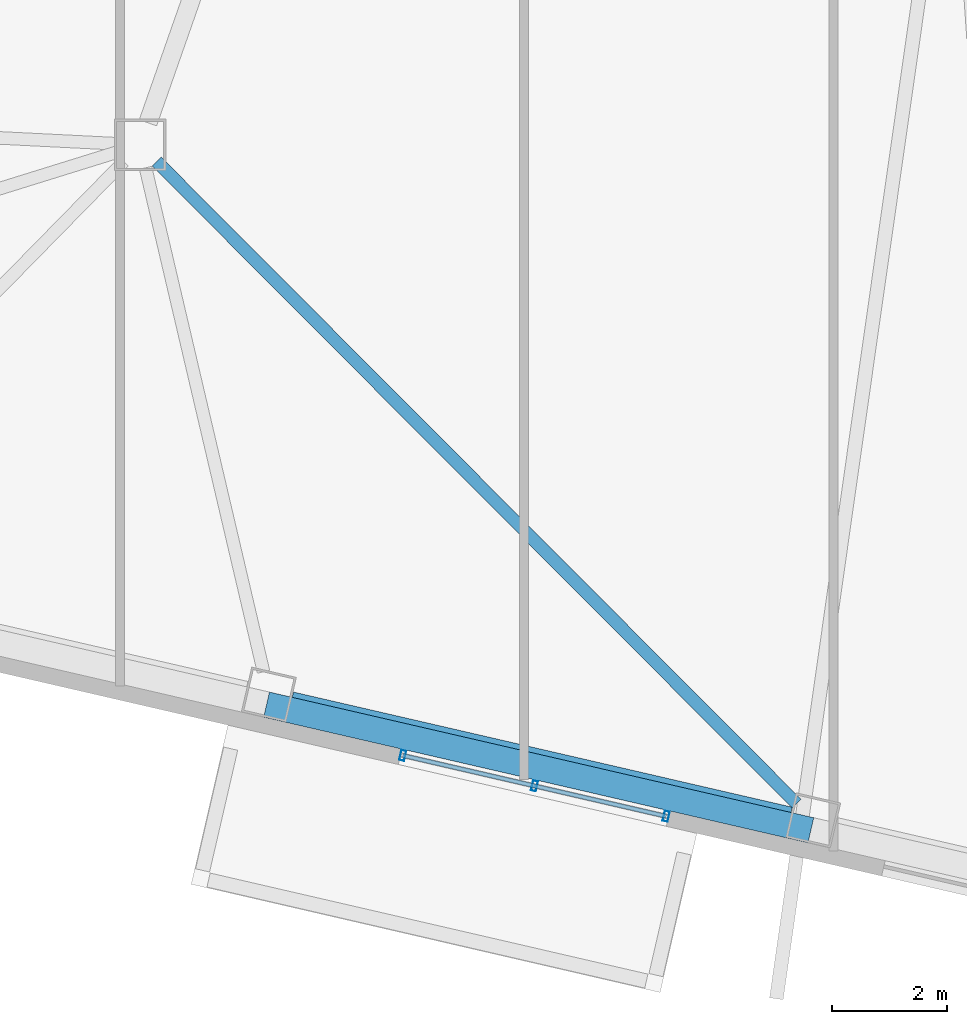
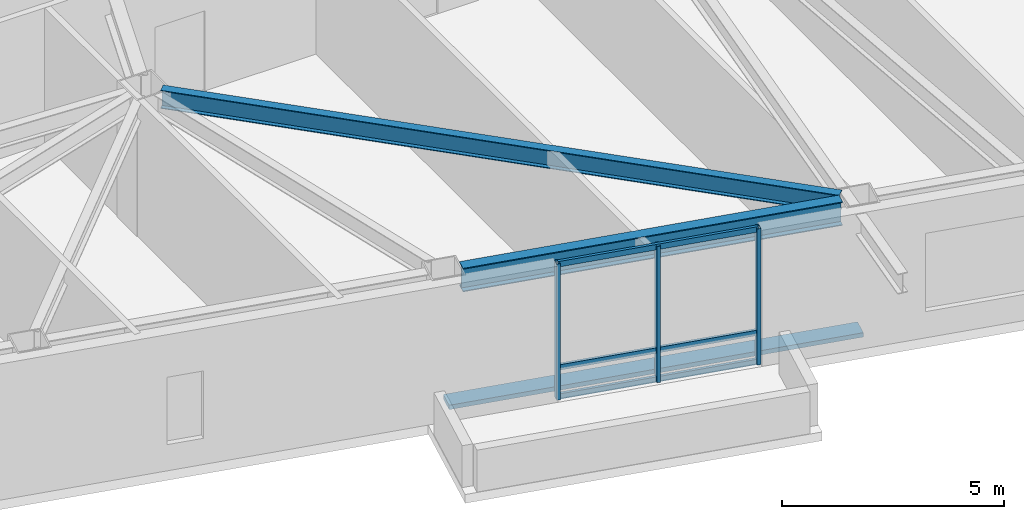
# One storey, part 2 of 22: 7 members, 2 beams, 1 element without a shape of its own.
"""IFC4 building model written with IfcOpenShell, lengths in metres."""

from ifc_helpers import new_model, si_unit, direction, frame, origin, origin_2d, place, context, subcontext, project, spatial, rectangle, hollow_rectangle, i_section, extrude, material, layer, layer_set, material_profile, profile_set, type_object, element, aggregate, save


model = new_model("IFC4")

# Units and contexts
model_context = context("Model", 3, precision=1e-05, world=origin(), true_north=direction((0.0, 1.0)))
body_context = subcontext(model_context, "Body", "Model", "MODEL_VIEW")
ifc_project = project(units=[si_unit("LENGTHUNIT", "METRE"), si_unit("AREAUNIT", "SQUARE_METRE"), si_unit("VOLUMEUNIT", "CUBIC_METRE"), si_unit("PLANEANGLEUNIT", "RADIAN"), si_unit("MASSUNIT", "GRAM", prefix="KILO")], contexts=[model_context])

# Site, building, storey
site_placement = place(None, origin())
site = spatial("IfcSite", under=ifc_project, at=site_placement, CompositionType="ELEMENT")
building_placement = place(site_placement, origin())
building = spatial("IfcBuilding", under=site, at=building_placement, Name="Tavrogorsk Clinical Tower", CompositionType="ELEMENT")
storey_placement = place(building_placement, frame((0.0, 0.0, 55.39990234375)))
storey = spatial("IfcBuildingStorey", under=building, at=storey_placement, Name="L11", CompositionType="ELEMENT", Elevation=55.39990234375)

# Member
ifc_material_1 = material(Name="Anodised aluminium alloy AW-6063", Category="aluminium")
ifc_material_profile_1 = material_profile(ifc_material_1, rectangle(XDim=0.449951171875, YDim=0.1201171875, at=origin_2d()), Name="ALU-SUNSHADE-450x120")
ifc_profile_set_1 = profile_set([ifc_material_profile_1], Name="Anodised aluminium alloy AW-6063")
member_type_1 = type_object("IfcMemberType", Name="ChicagoSunshade_450x120", PredefinedType="USERDEFINED", material=ifc_profile_set_1)
member_1_placement = place(storey_placement, frame((-22.29443359375, -22.96728515625, 0.18017578125), z_axis=(0.97437219846, -0.224941812182, 0.0), x_axis=(0.224941812182, 0.97437219846, 0.0)))
element("IfcMember", 1, at=member_1_placement, inside=storey, type_object=member_type_1, Name="L11 South Aluminium Sunshade S3", ObjectType="SUNSHADE", PredefinedType="USERDEFINED", context=body_context, shape_type="SweptSolid", body=[
    extrude(rectangle(XDim=0.449951171875, YDim=0.1201171875, at=origin_2d()), origin(), (0.0, 0.0, 1.0), 9.74853515625),
])

# Curtain wall, members
ifc_material_2 = material(Name="Anodised aluminium and triple IGU glazing", Category="aluminium")
ifc_layer = layer(ifc_material_2, 0.179931640625)
ifc_layer_set = layer_set([ifc_layer], Name="Anodised aluminium and triple IGU glazing")
curtain_wall_type = type_object("IfcCurtainWallType", Name="CW3_SouthSlot", PredefinedType="NOTDEFINED", material=ifc_layer_set)
curtain_wall_placement = place(storey_placement, origin())
curtain_wall = element("IfcCurtainWall", 2, at=curtain_wall_placement, inside=storey, type_object=curtain_wall_type, Name="L11 Curtain Wall CW-L11-S-SLOT-1", PredefinedType="NOTDEFINED")
ifc_material_3 = material(Name="Anodised aluminium alloy AW-6060", Category="aluminium")
ifc_material_profile_2 = material_profile(ifc_material_3, hollow_rectangle(XDim=0.090087890625, YDim=0.179931640625, WallThickness=0.00634765625, at=origin_2d()), Name="RHS-180x90x6.3")
ifc_profile_set_2 = profile_set([ifc_material_profile_2], Name="Anodised aluminium alloy AW-6060")
member_type_2 = type_object("IfcMemberType", Name="CwMullion_180x90", PredefinedType="MULLION", material=ifc_profile_set_2)
member_2_placement = place(storey_placement, frame((-19.917724609375, -23.8544921875, 0.0), z_axis=(0.0, 0.0, 1.0), x_axis=(0.974370046851, -0.224951132027, 0.0)))
member_2 = element("IfcMember", 3, at=member_2_placement, type_object=member_type_2, Name="CW-L11-S-SLOT-1 Mullion 1", PredefinedType="MULLION", context=body_context, shape_type="SweptSolid", body=[
    extrude(hollow_rectangle(XDim=0.090087890625, YDim=0.179931640625, WallThickness=0.00634765625, at=origin_2d()), origin(), (0.0, 0.0, 1.0), 3.739990234375),
])
member_3_placement = place(storey_placement, frame((-17.619384765625, -24.38525390625, 0.0), z_axis=(0.0, 0.0, 1.0), x_axis=(0.974370046851, -0.224951132027, 0.0)))
member_3 = element("IfcMember", 4, at=member_3_placement, type_object=member_type_2, Name="CW-L11-S-SLOT-1 Mullion 2", PredefinedType="MULLION", context=body_context, shape_type="SweptSolid", body=[
    extrude(hollow_rectangle(XDim=0.090087890625, YDim=0.179931640625, WallThickness=0.00634765625, at=origin_2d()), origin(), (0.0, 0.0, 1.0), 3.739990234375),
])
member_4_placement = place(storey_placement, frame((-15.32080078125, -24.916015625, 0.0), z_axis=(0.0, 0.0, 1.0), x_axis=(0.974370046851, -0.224951132027, 0.0)))
member_4 = element("IfcMember", 5, at=member_4_placement, type_object=member_type_2, Name="CW-L11-S-SLOT-1 Mullion 3", PredefinedType="MULLION", context=body_context, shape_type="SweptSolid", body=[
    extrude(hollow_rectangle(XDim=0.090087890625, YDim=0.179931640625, WallThickness=0.00634765625, at=origin_2d()), origin(), (0.0, 0.0, 1.0), 3.739990234375),
])
ifc_material_4 = material(Name="Anodised aluminium alloy AW-6060", Category="aluminium")
ifc_material_profile_3 = material_profile(ifc_material_4, hollow_rectangle(XDim=0.074951171875, YDim=0.14990234375, WallThickness=0.0048828125, at=origin_2d()), Name="RHS-150x75x5")
ifc_profile_set_3 = profile_set([ifc_material_profile_3], Name="Anodised aluminium alloy AW-6060")
member_type_3 = type_object("IfcMemberType", Name="CwTransom_150x75", PredefinedType="USERDEFINED", material=ifc_profile_set_3)
member_5_placement = place(storey_placement, frame((-19.917724609375, -23.8544921875, 0.050048828125), z_axis=(0.974358915979, -0.224999339672, 0.0), x_axis=(0.224999339672, 0.974358915979, 0.0)))
member_5 = element("IfcMember", 6, at=member_5_placement, type_object=member_type_3, Name="CW-L11-S-SLOT-1 Transom 1", ObjectType="TRANSOM", PredefinedType="USERDEFINED", context=body_context, shape_type="SweptSolid", body=[
    extrude(hollow_rectangle(XDim=0.074951171875, YDim=0.14990234375, WallThickness=0.0048828125, at=origin_2d()), origin(), (0.0, 0.0, 1.0), 4.718017578125),
])
member_6_placement = place(storey_placement, frame((-19.917724609375, -23.8544921875, 0.85009765625), z_axis=(0.974358915979, -0.224999339672, 0.0), x_axis=(0.224999339672, 0.974358915979, 0.0)))
member_6 = element("IfcMember", 7, at=member_6_placement, type_object=member_type_3, Name="CW-L11-S-SLOT-1 Transom 2", ObjectType="TRANSOM", PredefinedType="USERDEFINED", context=body_context, shape_type="SweptSolid", body=[
    extrude(hollow_rectangle(XDim=0.074951171875, YDim=0.14990234375, WallThickness=0.0048828125, at=origin_2d()), origin(), (0.0, 0.0, 1.0), 4.718017578125),
])
member_7_placement = place(storey_placement, frame((-19.917724609375, -23.8544921875, 3.690185546875), z_axis=(0.974358915979, -0.224999339672, 0.0), x_axis=(0.224999339672, 0.974358915979, 0.0)))
member_7 = element("IfcMember", 8, at=member_7_placement, type_object=member_type_3, Name="CW-L11-S-SLOT-1 Transom 3", ObjectType="TRANSOM", PredefinedType="USERDEFINED", context=body_context, shape_type="SweptSolid", body=[
    extrude(hollow_rectangle(XDim=0.074951171875, YDim=0.14990234375, WallThickness=0.0048828125, at=origin_2d()), origin(), (0.0, 0.0, 1.0), 4.718017578125),
])
aggregate(curtain_wall, [member_2, member_3, member_4, member_5, member_6, member_7])

# Beams
ifc_material_5 = material(Name="Structural steel S355", Category="steel")
ifc_material_profile_4 = material_profile(ifc_material_5, i_section(OverallWidth=0.219970703125, OverallDepth=0.5, WebThickness=0.012939453125, FlangeThickness=0.02001953125, at=origin_2d()), Name="B-500x220x13x20")
ifc_profile_set_4 = profile_set([ifc_material_profile_4], Name="Structural steel S355")
beam_type_1 = type_object("IfcBeamType", Name="FloorBeam_B500", PredefinedType="BEAM", material=ifc_profile_set_4)
beam_1_placement = place(storey_placement, frame((-24.210693359375, -13.490478515625, 3.489990234375), z_axis=(0.705909757155, -0.70830178226, 0.0), x_axis=(0.70830178226, 0.705909757155, 0.0)))
element("IfcBeam", 9, at=beam_1_placement, inside=storey, type_object=beam_type_1, Name="L11 Radial Floor Beam S4", PredefinedType="BEAM", context=body_context, shape_type="SweptSolid", body=[
    extrude(i_section(OverallWidth=0.219970703125, OverallDepth=0.5, WebThickness=0.012939453125, FlangeThickness=0.02001953125, at=origin_2d()), origin(), (0.0, 0.0, 1.0), 15.820068359375),
])
ifc_material_6 = material(Name="Structural steel S390", Category="steel")
ifc_material_profile_5 = material_profile(ifc_material_6, i_section(OverallWidth=0.280029296875, OverallDepth=0.64990234375, WebThickness=0.01611328125, FlangeThickness=0.02490234375, at=origin_2d()), Name="B-650x280x16x25")
ifc_profile_set_5 = profile_set([ifc_material_profile_5], Name="Structural steel S390")
beam_type_2 = type_object("IfcBeamType", Name="SpandrelBeam_B650", PredefinedType="SPANDREL", material=ifc_profile_set_5)
beam_2_placement = place(storey_placement, frame((-21.8564453125, -22.8837890625, 3.4150390625), z_axis=(0.974372766602, -0.224939351168, 0.0), x_axis=(0.224939351168, 0.974372766602, 0.0)))
element("IfcBeam", 10, at=beam_2_placement, inside=storey, type_object=beam_type_2, Name="L11 Perimeter Spandrel S3-S4", PredefinedType="SPANDREL", context=body_context, shape_type="SweptSolid", body=[
    extrude(i_section(OverallWidth=0.280029296875, OverallDepth=0.64990234375, WebThickness=0.01611328125, FlangeThickness=0.02490234375, at=origin_2d()), origin(), (0.0, 0.0, 1.0), 8.9326171875),
])

save(model, "model.ifc")
